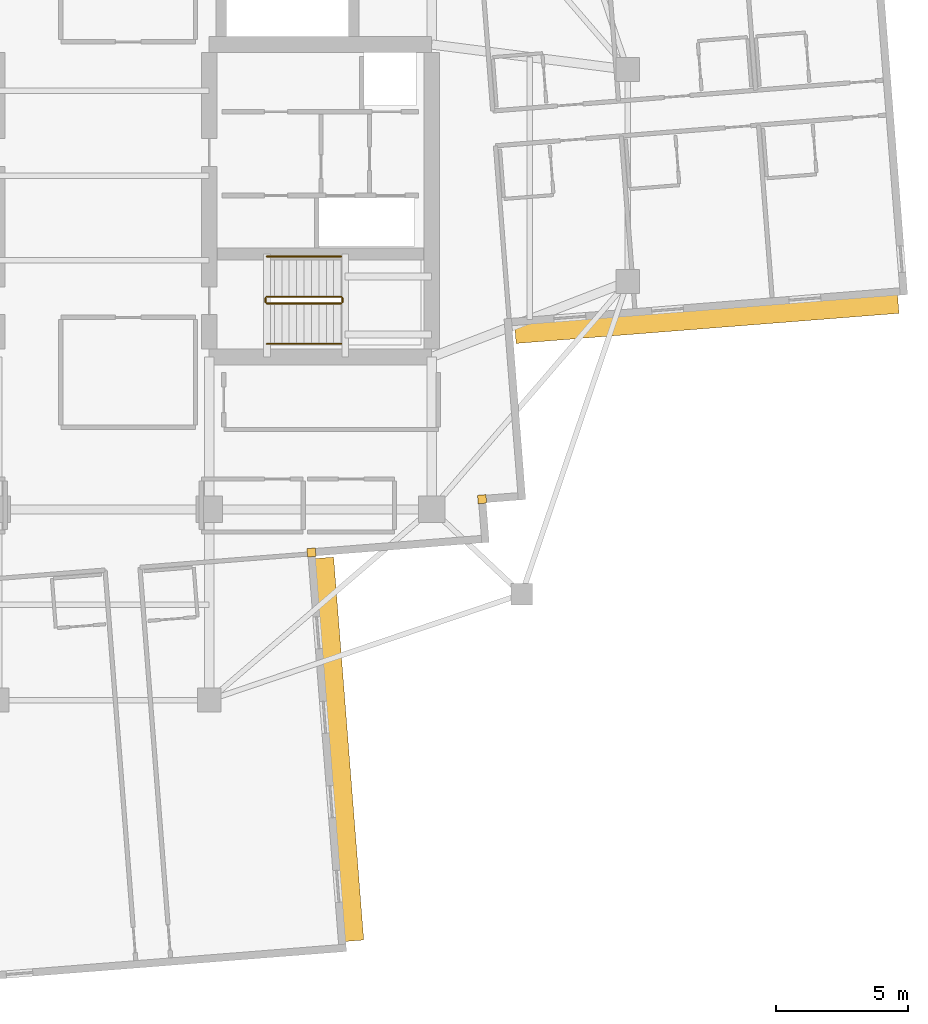
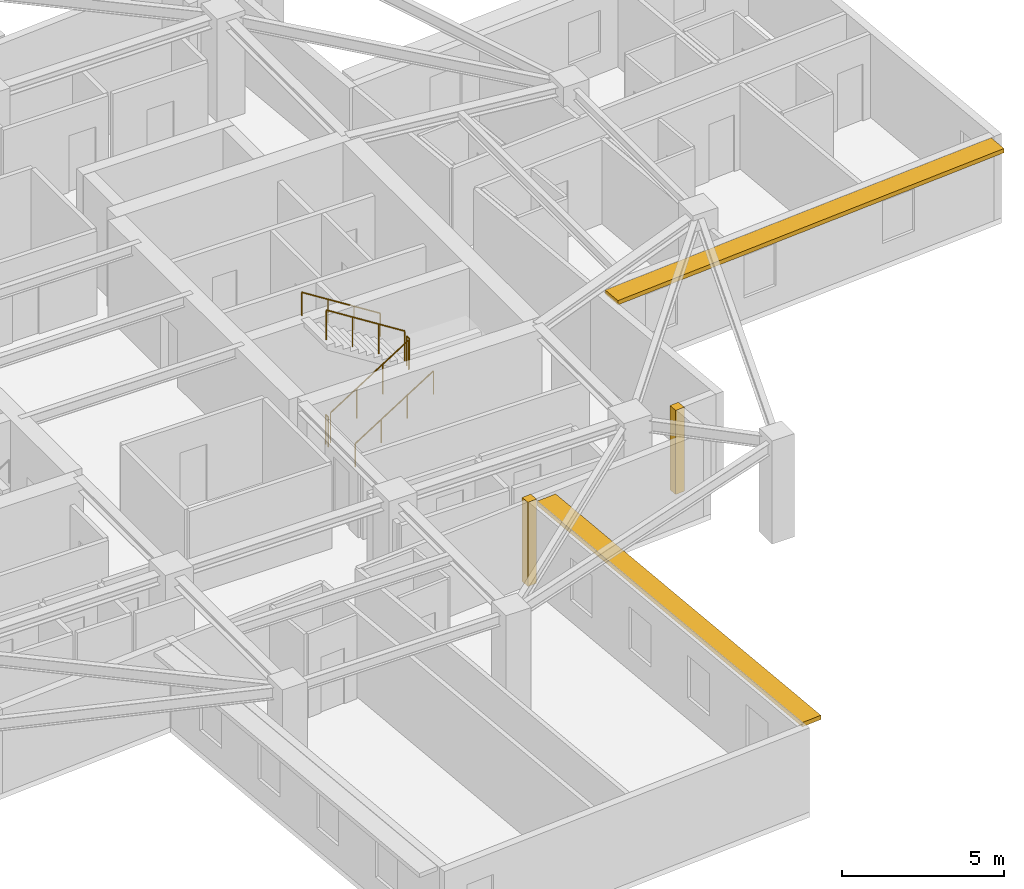
# One storey, part 11 of 13: 6 railings, 2 coverings, 2 shading devices.
"""IFC4 building model written with IfcOpenShell, lengths in metres."""

from ifc_helpers import new_model, si_unit, direction, frame, origin, origin_2d, place, context, subcontext, project, spatial, rectangle, circle, extrude, material, layer, layer_set, type_object, element, save


model = new_model("IFC4")

# Units and contexts
model_context = context("Model", 3, precision=1e-05, world=origin(), true_north=direction((0.0, 1.0)))
body_context = subcontext(model_context, "Body", "Model", "MODEL_VIEW")
ifc_project = project(units=[si_unit("LENGTHUNIT", "METRE"), si_unit("AREAUNIT", "SQUARE_METRE"), si_unit("VOLUMEUNIT", "CUBIC_METRE"), si_unit("PLANEANGLEUNIT", "RADIAN"), si_unit("MASSUNIT", "GRAM", prefix="KILO")], contexts=[model_context])

# Site, building, storey
site_placement = place(None, origin())
site = spatial("IfcSite", under=ifc_project, at=site_placement, CompositionType="ELEMENT")
building_placement = place(site_placement, origin())
building = spatial("IfcBuilding", under=site, at=building_placement, Name="Qingluan Cross Belvedere", CompositionType="ELEMENT")
storey_placement = place(building_placement, frame((0.0, 0.0, 205.199951171875)))
storey = spatial("IfcBuildingStorey", under=building, at=storey_placement, Name="L51", CompositionType="ELEMENT", Elevation=205.199951171875)

# Coverings
ifc_material_1 = material(Name="Precast concrete C45", Category="concrete")
ifc_layer_1 = layer(ifc_material_1, 0.1201171875, Name="ConcreteSpandrelCladding_120")
ifc_layer_set_1 = layer_set([ifc_layer_1], Name="Precast concrete C45")
covering_type = type_object("IfcCoveringType", Name="ConcreteSpandrelCladding_120", PredefinedType="CLADDING", material=ifc_layer_set_1)
for number, where, z_axis, x_axis, name in (
    (1, (14.302490234375, -12.215576171875, 0.0), (0.0, 0.0, 1.0), (0.996917333733, 0.078459095728, 0.0), "Corner closure L51-SE1"),
    (2, (7.860595703125, -14.22705078125, 0.0), (0.0, 0.0, 1.0), (0.996917333733, 0.078459095728, 0.0), "Corner closure L51-SE2"),
):
    element("IfcCovering", number, at=place(storey_placement, frame(where, z_axis=z_axis, x_axis=x_axis)), inside=storey, type_object=covering_type, Name=name, PredefinedType="CLADDING", context=body_context, shape_type="SweptSolid", body=[
        extrude(rectangle(XDim=0.320068359375, YDim=0.320068359375, at=origin_2d()), origin(), (0.0, 0.0, 1.0), 3.179931640625),
    ])

# Shading devices
ifc_material_2 = material(Name="Precast concrete C45", Category="concrete")
ifc_layer_2 = layer(ifc_material_2, 0.139892578125, Name="ConcreteSunshadeBand_700")
ifc_layer_set_2 = layer_set([ifc_layer_2], Name="Precast concrete C45")
shading_device_type = type_object("IfcShadingDeviceType", Name="ConcreteSunshadeBand_700", PredefinedType="USERDEFINED", material=ifc_layer_set_2)
for number, where, z_axis, x_axis, name in (
    (3, (22.785400390625, -5.4189453125, 3.0), (0.0, 0.0, 1.0), (0.996917599256, 0.078455721862, 0.0), "Concrete SUNSHADE L51-EA"),
    (4, (8.916748046875, -21.6572265625, 3.0), (0.0, 0.0, 1.0), (-0.078455721862, 0.996917599256, 0.0), "Concrete SUNSHADE L51-SB"),
):
    element("IfcShadingDevice", number, at=place(storey_placement, frame(where, z_axis=z_axis, x_axis=x_axis)), inside=storey, type_object=shading_device_type, Name=name, ObjectType="SUNSHADE", PredefinedType="USERDEFINED", context=body_context, shape_type="SweptSolid", body=[
        extrude(rectangle(XDim=14.5, YDim=0.699951171875, at=origin_2d()), origin(), (0.0, 0.0, 1.0), 0.159912109375),
    ])

# Railings
ifc_material_3 = material(Name="Brushed stainless steel tubular handrail", Category="steel")
railing_type_1 = type_object("IfcRailingType", Name="StairPitchHandrail_900", PredefinedType="HANDRAIL", material=ifc_material_3)
railing_1_placement = place(storey_placement, frame((6.179931640625, -6.35009765625, 0.17724609375)))
element("IfcRailing", 5, at=railing_1_placement, inside=storey, type_object=railing_type_1, Name="L51 ST2 stair handrail 1", PredefinedType="HANDRAIL", context=body_context, shape_type="SweptSolid", body=[
    extrude(circle(Radius=0.02392578125, at=origin_2d()), frame((0.0, 0.0, 0.8759765625), z_axis=(0.844908973607, 0.0, 0.534910110503), x_axis=(0.0, 1.0, 0.0)), (0.0, 0.0, 1.0), 3.31396484375),
    extrude(circle(Radius=0.02099609375, at=origin_2d()), origin(), (0.0, 0.0, 1.0), 0.851806640625),
    extrude(circle(Radius=0.02099609375, at=origin_2d()), frame((0.933349609375, 0.0, 0.5908203125)), (0.0, 0.0, 1.0), 0.851806640625),
    extrude(circle(Radius=0.02099609375, at=origin_2d()), frame((1.86669921875, 0.0, 1.181884765625)), (0.0, 0.0, 1.0), 0.851806640625),
    extrude(circle(Radius=0.02099609375, at=origin_2d()), frame((2.800048828125, 0.0, 1.772705078125)), (0.0, 0.0, 1.0), 0.851806640625),
])
railing_2_placement = place(storey_placement, frame((8.97998046875, -3.050048828125, 2.12744140625)))
element("IfcRailing", 6, at=railing_2_placement, inside=storey, type_object=railing_type_1, Name="L51 ST2 stair handrail 2", PredefinedType="HANDRAIL", context=body_context, shape_type="SweptSolid", body=[
    extrude(circle(Radius=0.02392578125, at=origin_2d()), frame((0.0, 0.0, 0.8759765625), z_axis=(-0.844908973607, 0.0, 0.534910110503), x_axis=(0.0, -1.0, 0.0)), (0.0, 0.0, 1.0), 3.31396484375),
    extrude(circle(Radius=0.02099609375, at=origin_2d()), origin(), (0.0, 0.0, 1.0), 0.851806640625),
    extrude(circle(Radius=0.02099609375, at=origin_2d()), frame((-0.933349609375, 0.0, 0.5908203125)), (0.0, 0.0, 1.0), 0.851806640625),
    extrude(circle(Radius=0.02099609375, at=origin_2d()), frame((-1.86669921875, 0.0, 1.181884765625)), (0.0, 0.0, 1.0), 0.851806640625),
    extrude(circle(Radius=0.02099609375, at=origin_2d()), frame((-2.800048828125, 0.0, 1.772705078125)), (0.0, 0.0, 1.0), 0.851806640625),
])
ifc_material_4 = material(Name="Painted steel stair well guard", Category="steel")
railing_type_2 = type_object("IfcRailingType", Name="StairWellGuard_1150", PredefinedType="BALUSTRADE", material=ifc_material_4)
railing_3_placement = place(storey_placement, frame((6.179931640625, -4.830078125, 0.17724609375)))
element("IfcRailing", 7, at=railing_3_placement, inside=storey, type_object=railing_type_2, Name="L51 ST2 stair guard 1", PredefinedType="BALUSTRADE", context=body_context, shape_type="SweptSolid", body=[
    extrude(circle(Radius=0.02392578125, at=origin_2d()), frame((0.0, 0.0, 1.1259765625), z_axis=(0.844908973607, 0.0, 0.534910110503), x_axis=(0.0, 1.0, 0.0)), (0.0, 0.0, 1.0), 3.31396484375),
    extrude(circle(Radius=0.02099609375, at=origin_2d()), origin(), (0.0, 0.0, 1.0), 1.101806640625),
    extrude(circle(Radius=0.02099609375, at=origin_2d()), frame((0.933349609375, 0.0, 0.5908203125)), (0.0, 0.0, 1.0), 1.101806640625),
    extrude(circle(Radius=0.02099609375, at=origin_2d()), frame((1.86669921875, 0.0, 1.181884765625)), (0.0, 0.0, 1.0), 1.101806640625),
    extrude(circle(Radius=0.02099609375, at=origin_2d()), frame((2.800048828125, 0.0, 1.772705078125)), (0.0, 0.0, 1.0), 1.101806640625),
])
railing_4_placement = place(storey_placement, frame((9.030029296875, -4.780029296875, 1.949951171875)))
element("IfcRailing", 8, at=railing_4_placement, inside=storey, type_object=railing_type_2, Name="L51 ST2 stair guard 2", PredefinedType="BALUSTRADE", context=body_context, shape_type="SweptSolid", body=[
    extrude(circle(Radius=0.02392578125, at=origin_2d()), frame((0.0, 0.0, 1.1259765625), z_axis=(0.0, 1.0, 0.0), x_axis=(-1.0, 0.0, 0.0)), (0.0, 0.0, 1.0), 0.159912109375),
    extrude(circle(Radius=0.02099609375, at=origin_2d()), origin(), (0.0, 0.0, 1.0), 1.101806640625),
    extrude(circle(Radius=0.02099609375, at=origin_2d()), frame((0.0, 0.159912109375, 0.0)), (0.0, 0.0, 1.0), 1.101806640625),
])
railing_5_placement = place(storey_placement, frame((8.97998046875, -4.570068359375, 2.12744140625)))
element("IfcRailing", 9, at=railing_5_placement, inside=storey, type_object=railing_type_2, Name="L51 ST2 stair guard 3", PredefinedType="BALUSTRADE", context=body_context, shape_type="SweptSolid", body=[
    extrude(circle(Radius=0.02392578125, at=origin_2d()), frame((0.0, 0.0, 1.1259765625), z_axis=(-0.844908973607, 0.0, 0.534910110503), x_axis=(0.0, -1.0, 0.0)), (0.0, 0.0, 1.0), 3.31396484375),
    extrude(circle(Radius=0.02099609375, at=origin_2d()), origin(), (0.0, 0.0, 1.0), 1.101806640625),
    extrude(circle(Radius=0.02099609375, at=origin_2d()), frame((-0.933349609375, 0.0, 0.5908203125)), (0.0, 0.0, 1.0), 1.101806640625),
    extrude(circle(Radius=0.02099609375, at=origin_2d()), frame((-1.86669921875, 0.0, 1.181884765625)), (0.0, 0.0, 1.0), 1.101806640625),
    extrude(circle(Radius=0.02099609375, at=origin_2d()), frame((-2.800048828125, 0.0, 1.772705078125)), (0.0, 0.0, 1.0), 1.101806640625),
])
railing_6_placement = place(storey_placement, frame((6.1298828125, -4.780029296875, 0.0)))
element("IfcRailing", 10, at=railing_6_placement, inside=storey, type_object=railing_type_2, Name="L51 ST2 stair guard 4", PredefinedType="BALUSTRADE", context=body_context, shape_type="SweptSolid", body=[
    extrude(circle(Radius=0.02392578125, at=origin_2d()), frame((0.0, 0.0, 1.1259765625), z_axis=(0.0, 1.0, 0.0), x_axis=(-1.0, 0.0, 0.0)), (0.0, 0.0, 1.0), 0.159912109375),
    extrude(circle(Radius=0.02099609375, at=origin_2d()), origin(), (0.0, 0.0, 1.0), 1.101806640625),
    extrude(circle(Radius=0.02099609375, at=origin_2d()), frame((0.0, 0.159912109375, 0.0)), (0.0, 0.0, 1.0), 1.101806640625),
])

save(model, "model.ifc")
